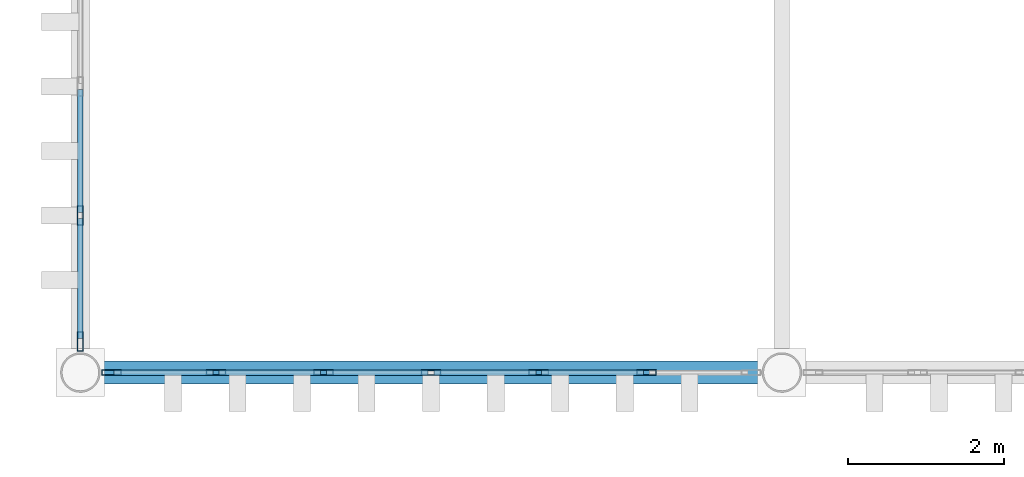
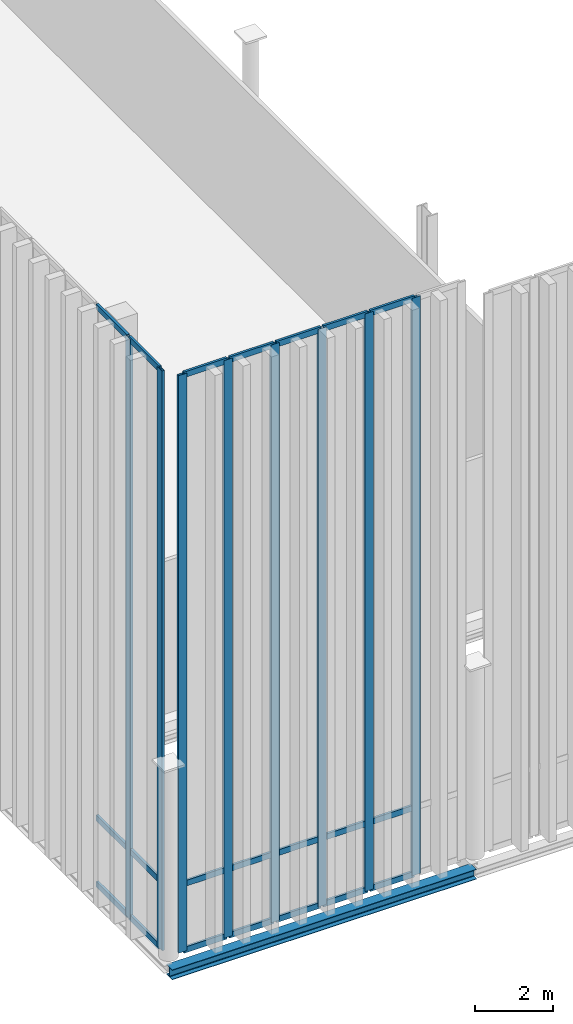
# One storey, part 25 of 237: 29 members, 1 beam, 2 elements without a shape of their own.
"""IFC4 building model written with IfcOpenShell, lengths in metres."""

from ifc_helpers import new_model, si_unit, direction, frame, origin, origin_2d, place, context, subcontext, project, spatial, hollow_rectangle, i_section, extrude, material, layer, layer_set, material_profile, profile_set, type_object, element, aggregate, save


model = new_model("IFC4")

# Units and contexts
model_context = context("Model", 3, precision=1e-05, world=origin(), true_north=direction((0.0, 1.0)))
body_context = subcontext(model_context, "Body", "Model", "MODEL_VIEW")
ifc_project = project(units=[si_unit("LENGTHUNIT", "METRE"), si_unit("AREAUNIT", "SQUARE_METRE"), si_unit("VOLUMEUNIT", "CUBIC_METRE"), si_unit("PLANEANGLEUNIT", "RADIAN"), si_unit("MASSUNIT", "GRAM", prefix="KILO")], contexts=[model_context])

# Site, building, storey
site_placement = place(None, origin())
site = spatial("IfcSite", under=ifc_project, at=site_placement, CompositionType="ELEMENT")
building_placement = place(site_placement, origin())
building = spatial("IfcBuilding", under=site, at=building_placement, Name="Barlavento Convention Centre", CompositionType="ELEMENT")
storey_placement = place(building_placement, frame((0.0, 0.0, 12.0)))
storey = spatial("IfcBuildingStorey", under=building, at=storey_placement, Name="L02", CompositionType="ELEMENT", Elevation=12.0)

# Curtain wall, members
ifc_material_1 = material(Name="Powder-coated aluminium and Low-E glass", Category="aluminium")
ifc_layer = layer(ifc_material_1, 0.18994140625)
ifc_layer_set = layer_set([ifc_layer], Name="ARC-CW-CONG-L02")
curtain_wall_type = type_object("IfcCurtainWallType", Name="ARC-CW-CONG-L02", PredefinedType="NOTDEFINED", material=ifc_layer_set)
curtain_wall_1_placement = place(storey_placement, origin())
curtain_wall_1 = element("IfcCurtainWall", 1, at=curtain_wall_1_placement, inside=storey, type_object=curtain_wall_type, Name="L02 unitised curtain wall CW02", PredefinedType="NOTDEFINED")
ifc_material_2 = material(Name="Powder-coated aluminium", Category="aluminium")
ifc_material_profile_1 = material_profile(ifc_material_2, hollow_rectangle(XDim=0.074951171875, YDim=0.25, WallThickness=0.006103515625, at=origin_2d()), Name="AL-MULL 75x250x6")
ifc_profile_set_1 = profile_set([ifc_material_profile_1], Name="Powder-coated aluminium")
member_type_1 = type_object("IfcMemberType", Name="ARC-CWM-75X250", PredefinedType="MULLION", material=ifc_profile_set_1)
member_1_placement = place(storey_placement, frame((0.396484375, 0.0, 0.0), z_axis=(0.0, 0.0, 1.0), x_axis=(0.0, 1.0, 0.0)))
member_1 = element("IfcMember", 2, at=member_1_placement, type_object=member_type_1, Name="CW02 mullion 1", PredefinedType="MULLION", context=body_context, shape_type="SweptSolid", body=[
    extrude(hollow_rectangle(XDim=0.074951171875, YDim=0.25, WallThickness=0.006103515625, at=origin_2d()), origin(), (0.0, 0.0, 1.0), 17.971923828125),
])
member_2_placement = place(storey_placement, frame((1.7392578125, 0.0, 0.0), z_axis=(0.0, 0.0, 1.0), x_axis=(0.0, 1.0, 0.0)))
member_2 = element("IfcMember", 3, at=member_2_placement, type_object=member_type_1, Name="CW02 mullion 2", PredefinedType="MULLION", context=body_context, shape_type="SweptSolid", body=[
    extrude(hollow_rectangle(XDim=0.074951171875, YDim=0.25, WallThickness=0.006103515625, at=origin_2d()), origin(), (0.0, 0.0, 1.0), 17.971923828125),
])
member_3_placement = place(storey_placement, frame((3.11962890625, 0.0, 0.0), z_axis=(0.0, 0.0, 1.0), x_axis=(0.0, 1.0, 0.0)))
member_3 = element("IfcMember", 4, at=member_3_placement, type_object=member_type_1, Name="CW02 mullion 3", PredefinedType="MULLION", context=body_context, shape_type="SweptSolid", body=[
    extrude(hollow_rectangle(XDim=0.074951171875, YDim=0.25, WallThickness=0.006103515625, at=origin_2d()), origin(), (0.0, 0.0, 1.0), 17.971923828125),
])
member_4_placement = place(storey_placement, frame((4.5, 0.0, 0.0), z_axis=(0.0, 0.0, 1.0), x_axis=(0.0, 1.0, 0.0)))
member_4 = element("IfcMember", 5, at=member_4_placement, type_object=member_type_1, Name="CW02 mullion 4", PredefinedType="MULLION", context=body_context, shape_type="SweptSolid", body=[
    extrude(hollow_rectangle(XDim=0.074951171875, YDim=0.25, WallThickness=0.006103515625, at=origin_2d()), origin(), (0.0, 0.0, 1.0), 17.971923828125),
])
member_5_placement = place(storey_placement, frame((5.88037109375, 0.0, 0.0), z_axis=(0.0, 0.0, 1.0), x_axis=(0.0, 1.0, 0.0)))
member_5 = element("IfcMember", 6, at=member_5_placement, type_object=member_type_1, Name="CW02 mullion 5", PredefinedType="MULLION", context=body_context, shape_type="SweptSolid", body=[
    extrude(hollow_rectangle(XDim=0.074951171875, YDim=0.25, WallThickness=0.006103515625, at=origin_2d()), origin(), (0.0, 0.0, 1.0), 17.971923828125),
])
member_6_placement = place(storey_placement, frame((7.2607421875, 0.0, 0.0), z_axis=(0.0, 0.0, 1.0), x_axis=(0.0, 1.0, 0.0)))
member_6 = element("IfcMember", 7, at=member_6_placement, type_object=member_type_1, Name="CW02 mullion 6", PredefinedType="MULLION", context=body_context, shape_type="SweptSolid", body=[
    extrude(hollow_rectangle(XDim=0.074951171875, YDim=0.25, WallThickness=0.006103515625, at=origin_2d()), origin(), (0.0, 0.0, 1.0), 17.971923828125),
])

curtain_wall_2_placement = place(storey_placement, origin())
curtain_wall_2 = element("IfcCurtainWall", 8, at=curtain_wall_2_placement, inside=storey, type_object=curtain_wall_type, Name="L02 unitised curtain wall CW02", PredefinedType="NOTDEFINED")
member_7_placement = place(storey_placement, frame((0.0, 0.396484375, 0.0), z_axis=(0.0, 0.0, 1.0), x_axis=(-1.0, 0.0, 0.0)))
member_7 = element("IfcMember", 9, at=member_7_placement, type_object=member_type_1, Name="CW02 mullion 1", PredefinedType="MULLION", context=body_context, shape_type="SweptSolid", body=[
    extrude(hollow_rectangle(XDim=0.074951171875, YDim=0.25, WallThickness=0.006103515625, at=origin_2d()), origin(), (0.0, 0.0, 1.0), 18.037109375),
])
member_8_placement = place(storey_placement, frame((0.0, 2.015380859375, 0.0), z_axis=(0.0, 0.0, 1.0), x_axis=(-1.0, 0.0, 0.0)))
member_8 = element("IfcMember", 10, at=member_8_placement, type_object=member_type_1, Name="CW02 mullion 2", PredefinedType="MULLION", context=body_context, shape_type="SweptSolid", body=[
    extrude(hollow_rectangle(XDim=0.074951171875, YDim=0.25, WallThickness=0.006103515625, at=origin_2d()), origin(), (0.0, 0.0, 1.0), 18.037109375),
])

# Member
ifc_material_profile_2 = material_profile(ifc_material_2, hollow_rectangle(XDim=0.070068359375, YDim=0.179931640625, WallThickness=0.0048828125, at=origin_2d()), Name="AL-TRAN 70x180x5")
ifc_profile_set_2 = profile_set([ifc_material_profile_2], Name="Powder-coated aluminium")
member_type_2 = type_object("IfcMemberType", Name="ARC-CWT-70X180", PredefinedType="USERDEFINED", material=ifc_profile_set_2)
member_9_placement = place(storey_placement, frame((0.43408203125, 0.0, 0.034912109375), z_axis=(1.0, 0.0, 0.0), x_axis=(0.0, 1.0, 0.0)))
member_9 = element("IfcMember", 11, at=member_9_placement, type_object=member_type_2, Name="CW02 transom 1.1", ObjectType="TRANSOM", PredefinedType="USERDEFINED", context=body_context, shape_type="SweptSolid", body=[
    extrude(hollow_rectangle(XDim=0.070068359375, YDim=0.179931640625, WallThickness=0.0048828125, at=origin_2d()), origin(), (0.0, 0.0, 1.0), 1.267822265625),
])

member_10_placement = place(storey_placement, frame((0.43408203125, 0.0, 2.10009765625), z_axis=(1.0, 0.0, 0.0), x_axis=(0.0, 1.0, 0.0)))
member_10 = element("IfcMember", 12, at=member_10_placement, type_object=member_type_2, Name="CW02 transom 1.2", ObjectType="TRANSOM", PredefinedType="USERDEFINED", context=body_context, shape_type="SweptSolid", body=[
    extrude(hollow_rectangle(XDim=0.070068359375, YDim=0.179931640625, WallThickness=0.0048828125, at=origin_2d()), origin(), (0.0, 0.0, 1.0), 1.267822265625),
])

member_11_placement = place(storey_placement, frame((0.43408203125, 0.0, 17.93701171875), z_axis=(1.0, 0.0, 0.0), x_axis=(0.0, 1.0, 0.0)))
member_11 = element("IfcMember", 13, at=member_11_placement, type_object=member_type_2, Name="CW02 transom 1.3", ObjectType="TRANSOM", PredefinedType="USERDEFINED", context=body_context, shape_type="SweptSolid", body=[
    extrude(hollow_rectangle(XDim=0.070068359375, YDim=0.179931640625, WallThickness=0.0048828125, at=origin_2d()), origin(), (0.0, 0.0, 1.0), 1.267822265625),
])

member_12_placement = place(storey_placement, frame((1.77685546875, 0.0, 0.034912109375), z_axis=(1.0, 0.0, 0.0), x_axis=(0.0, 1.0, 0.0)))
member_12 = element("IfcMember", 14, at=member_12_placement, type_object=member_type_2, Name="CW02 transom 2.1", ObjectType="TRANSOM", PredefinedType="USERDEFINED", context=body_context, shape_type="SweptSolid", body=[
    extrude(hollow_rectangle(XDim=0.070068359375, YDim=0.179931640625, WallThickness=0.0048828125, at=origin_2d()), origin(), (0.0, 0.0, 1.0), 1.305419921875),
])

member_13_placement = place(storey_placement, frame((1.77685546875, 0.0, 2.10009765625), z_axis=(1.0, 0.0, 0.0), x_axis=(0.0, 1.0, 0.0)))
member_13 = element("IfcMember", 15, at=member_13_placement, type_object=member_type_2, Name="CW02 transom 2.2", ObjectType="TRANSOM", PredefinedType="USERDEFINED", context=body_context, shape_type="SweptSolid", body=[
    extrude(hollow_rectangle(XDim=0.070068359375, YDim=0.179931640625, WallThickness=0.0048828125, at=origin_2d()), origin(), (0.0, 0.0, 1.0), 1.305419921875),
])

member_14_placement = place(storey_placement, frame((1.77685546875, 0.0, 17.93701171875), z_axis=(1.0, 0.0, 0.0), x_axis=(0.0, 1.0, 0.0)))
member_14 = element("IfcMember", 16, at=member_14_placement, type_object=member_type_2, Name="CW02 transom 2.3", ObjectType="TRANSOM", PredefinedType="USERDEFINED", context=body_context, shape_type="SweptSolid", body=[
    extrude(hollow_rectangle(XDim=0.070068359375, YDim=0.179931640625, WallThickness=0.0048828125, at=origin_2d()), origin(), (0.0, 0.0, 1.0), 1.305419921875),
])

member_15_placement = place(storey_placement, frame((3.1572265625, 0.0, 0.034912109375), z_axis=(1.0, 0.0, 0.0), x_axis=(0.0, 1.0, 0.0)))
member_15 = element("IfcMember", 17, at=member_15_placement, type_object=member_type_2, Name="CW02 transom 3.1", ObjectType="TRANSOM", PredefinedType="USERDEFINED", context=body_context, shape_type="SweptSolid", body=[
    extrude(hollow_rectangle(XDim=0.070068359375, YDim=0.179931640625, WallThickness=0.0048828125, at=origin_2d()), origin(), (0.0, 0.0, 1.0), 1.30517578125),
])

member_16_placement = place(storey_placement, frame((3.1572265625, 0.0, 2.10009765625), z_axis=(1.0, 0.0, 0.0), x_axis=(0.0, 1.0, 0.0)))
member_16 = element("IfcMember", 18, at=member_16_placement, type_object=member_type_2, Name="CW02 transom 3.2", ObjectType="TRANSOM", PredefinedType="USERDEFINED", context=body_context, shape_type="SweptSolid", body=[
    extrude(hollow_rectangle(XDim=0.070068359375, YDim=0.179931640625, WallThickness=0.0048828125, at=origin_2d()), origin(), (0.0, 0.0, 1.0), 1.30517578125),
])

member_17_placement = place(storey_placement, frame((3.1572265625, 0.0, 17.93701171875), z_axis=(1.0, 0.0, 0.0), x_axis=(0.0, 1.0, 0.0)))
member_17 = element("IfcMember", 19, at=member_17_placement, type_object=member_type_2, Name="CW02 transom 3.3", ObjectType="TRANSOM", PredefinedType="USERDEFINED", context=body_context, shape_type="SweptSolid", body=[
    extrude(hollow_rectangle(XDim=0.070068359375, YDim=0.179931640625, WallThickness=0.0048828125, at=origin_2d()), origin(), (0.0, 0.0, 1.0), 1.30517578125),
])

member_18_placement = place(storey_placement, frame((4.53759765625, 0.0, 0.034912109375), z_axis=(1.0, 0.0, 0.0), x_axis=(0.0, 1.0, 0.0)))
member_18 = element("IfcMember", 20, at=member_18_placement, type_object=member_type_2, Name="CW02 transom 4.1", ObjectType="TRANSOM", PredefinedType="USERDEFINED", context=body_context, shape_type="SweptSolid", body=[
    extrude(hollow_rectangle(XDim=0.070068359375, YDim=0.179931640625, WallThickness=0.0048828125, at=origin_2d()), origin(), (0.0, 0.0, 1.0), 1.30517578125),
])

member_19_placement = place(storey_placement, frame((4.53759765625, 0.0, 2.10009765625), z_axis=(1.0, 0.0, 0.0), x_axis=(0.0, 1.0, 0.0)))
member_19 = element("IfcMember", 21, at=member_19_placement, type_object=member_type_2, Name="CW02 transom 4.2", ObjectType="TRANSOM", PredefinedType="USERDEFINED", context=body_context, shape_type="SweptSolid", body=[
    extrude(hollow_rectangle(XDim=0.070068359375, YDim=0.179931640625, WallThickness=0.0048828125, at=origin_2d()), origin(), (0.0, 0.0, 1.0), 1.30517578125),
])

member_20_placement = place(storey_placement, frame((4.53759765625, 0.0, 17.93701171875), z_axis=(1.0, 0.0, 0.0), x_axis=(0.0, 1.0, 0.0)))
member_20 = element("IfcMember", 22, at=member_20_placement, type_object=member_type_2, Name="CW02 transom 4.3", ObjectType="TRANSOM", PredefinedType="USERDEFINED", context=body_context, shape_type="SweptSolid", body=[
    extrude(hollow_rectangle(XDim=0.070068359375, YDim=0.179931640625, WallThickness=0.0048828125, at=origin_2d()), origin(), (0.0, 0.0, 1.0), 1.30517578125),
])

member_21_placement = place(storey_placement, frame((5.917724609375, 0.0, 0.034912109375), z_axis=(1.0, 0.0, 0.0), x_axis=(0.0, 1.0, 0.0)))
member_21 = element("IfcMember", 23, at=member_21_placement, type_object=member_type_2, Name="CW02 transom 5.1", ObjectType="TRANSOM", PredefinedType="USERDEFINED", context=body_context, shape_type="SweptSolid", body=[
    extrude(hollow_rectangle(XDim=0.070068359375, YDim=0.179931640625, WallThickness=0.0048828125, at=origin_2d()), origin(), (0.0, 0.0, 1.0), 1.305419921875),
])

member_22_placement = place(storey_placement, frame((5.917724609375, 0.0, 2.10009765625), z_axis=(1.0, 0.0, 0.0), x_axis=(0.0, 1.0, 0.0)))
member_22 = element("IfcMember", 24, at=member_22_placement, type_object=member_type_2, Name="CW02 transom 5.2", ObjectType="TRANSOM", PredefinedType="USERDEFINED", context=body_context, shape_type="SweptSolid", body=[
    extrude(hollow_rectangle(XDim=0.070068359375, YDim=0.179931640625, WallThickness=0.0048828125, at=origin_2d()), origin(), (0.0, 0.0, 1.0), 1.305419921875),
])

member_23_placement = place(storey_placement, frame((5.917724609375, 0.0, 17.93701171875), z_axis=(1.0, 0.0, 0.0), x_axis=(0.0, 1.0, 0.0)))
member_23 = element("IfcMember", 25, at=member_23_placement, type_object=member_type_2, Name="CW02 transom 5.3", ObjectType="TRANSOM", PredefinedType="USERDEFINED", context=body_context, shape_type="SweptSolid", body=[
    extrude(hollow_rectangle(XDim=0.070068359375, YDim=0.179931640625, WallThickness=0.0048828125, at=origin_2d()), origin(), (0.0, 0.0, 1.0), 1.305419921875),
])

aggregate(curtain_wall_1, [member_1, member_2, member_3, member_4, member_5, member_6, member_9, member_10, member_11, member_12, member_13, member_14, member_15, member_16, member_17, member_18, member_19, member_20, member_21, member_22, member_23])

member_24_placement = place(storey_placement, frame((0.0, 0.43408203125, 0.034912109375), z_axis=(0.0, 1.0, 0.0), x_axis=(-1.0, 0.0, 0.0)))
member_24 = element("IfcMember", 26, at=member_24_placement, type_object=member_type_2, Name="CW02 transom 1.1", ObjectType="TRANSOM", PredefinedType="USERDEFINED", context=body_context, shape_type="SweptSolid", body=[
    extrude(hollow_rectangle(XDim=0.070068359375, YDim=0.179931640625, WallThickness=0.0048828125, at=origin_2d()), origin(), (0.0, 0.0, 1.0), 1.543701171875),
])

member_25_placement = place(storey_placement, frame((0.0, 0.43408203125, 2.10009765625), z_axis=(0.0, 1.0, 0.0), x_axis=(-1.0, 0.0, 0.0)))
member_25 = element("IfcMember", 27, at=member_25_placement, type_object=member_type_2, Name="CW02 transom 1.2", ObjectType="TRANSOM", PredefinedType="USERDEFINED", context=body_context, shape_type="SweptSolid", body=[
    extrude(hollow_rectangle(XDim=0.070068359375, YDim=0.179931640625, WallThickness=0.0048828125, at=origin_2d()), origin(), (0.0, 0.0, 1.0), 1.543701171875),
])

member_26_placement = place(storey_placement, frame((0.0, 0.43408203125, 18.001953125), z_axis=(0.0, 1.0, 0.0), x_axis=(-1.0, 0.0, 0.0)))
member_26 = element("IfcMember", 28, at=member_26_placement, type_object=member_type_2, Name="CW02 transom 1.3", ObjectType="TRANSOM", PredefinedType="USERDEFINED", context=body_context, shape_type="SweptSolid", body=[
    extrude(hollow_rectangle(XDim=0.070068359375, YDim=0.179931640625, WallThickness=0.0048828125, at=origin_2d()), origin(), (0.0, 0.0, 1.0), 1.543701171875),
])

member_27_placement = place(storey_placement, frame((0.0, 2.052978515625, 0.034912109375), z_axis=(0.0, 1.0, 0.0), x_axis=(-1.0, 0.0, 0.0)))
member_27 = element("IfcMember", 29, at=member_27_placement, type_object=member_type_2, Name="CW02 transom 2.1", ObjectType="TRANSOM", PredefinedType="USERDEFINED", context=body_context, shape_type="SweptSolid", body=[
    extrude(hollow_rectangle(XDim=0.070068359375, YDim=0.179931640625, WallThickness=0.0048828125, at=origin_2d()), origin(), (0.0, 0.0, 1.0), 1.581298828125),
])

member_28_placement = place(storey_placement, frame((0.0, 2.052978515625, 2.10009765625), z_axis=(0.0, 1.0, 0.0), x_axis=(-1.0, 0.0, 0.0)))
member_28 = element("IfcMember", 30, at=member_28_placement, type_object=member_type_2, Name="CW02 transom 2.2", ObjectType="TRANSOM", PredefinedType="USERDEFINED", context=body_context, shape_type="SweptSolid", body=[
    extrude(hollow_rectangle(XDim=0.070068359375, YDim=0.179931640625, WallThickness=0.0048828125, at=origin_2d()), origin(), (0.0, 0.0, 1.0), 1.581298828125),
])

member_29_placement = place(storey_placement, frame((0.0, 2.052978515625, 18.001953125), z_axis=(0.0, 1.0, 0.0), x_axis=(-1.0, 0.0, 0.0)))
member_29 = element("IfcMember", 31, at=member_29_placement, type_object=member_type_2, Name="CW02 transom 2.3", ObjectType="TRANSOM", PredefinedType="USERDEFINED", context=body_context, shape_type="SweptSolid", body=[
    extrude(hollow_rectangle(XDim=0.070068359375, YDim=0.179931640625, WallThickness=0.0048828125, at=origin_2d()), origin(), (0.0, 0.0, 1.0), 1.581298828125),
])

aggregate(curtain_wall_2, [member_7, member_8, member_24, member_25, member_26, member_27, member_28, member_29])

# Beam
ifc_material_3 = material(Name="Steel S355", Category="steel")
ifc_material_profile_3 = material_profile(ifc_material_3, i_section(OverallWidth=0.300048828125, OverallDepth=0.31005859375, WebThickness=0.009033203125, FlangeThickness=0.015380859375, FilletRadius=0.027099609375, at=origin_2d()), Name="HEA 320")
ifc_profile_set_3 = profile_set([ifc_material_profile_3], Name="Steel S355")
beam_type = type_object("IfcBeamType", Name="STR-BM-SPN-HEA320", PredefinedType="SPANDREL", material=ifc_profile_set_3)
beam_placement = place(storey_placement, frame((0.02001953125, 0.0, -0.514892578125), z_axis=(1.0, 0.0, 0.0), x_axis=(0.0, 1.0, 0.0)))
element("IfcBeam", 32, at=beam_placement, inside=storey, type_object=beam_type, Name="L02 primary girder SP01", PredefinedType="SPANDREL", context=body_context, shape_type="SweptSolid", body=[
    extrude(i_section(OverallWidth=0.300048828125, OverallDepth=0.31005859375, WebThickness=0.009033203125, FlangeThickness=0.015380859375, FilletRadius=0.027099609375, at=origin_2d()), origin(), (0.0, 0.0, 1.0), 8.9599609375),
])

save(model, "model.ifc")
